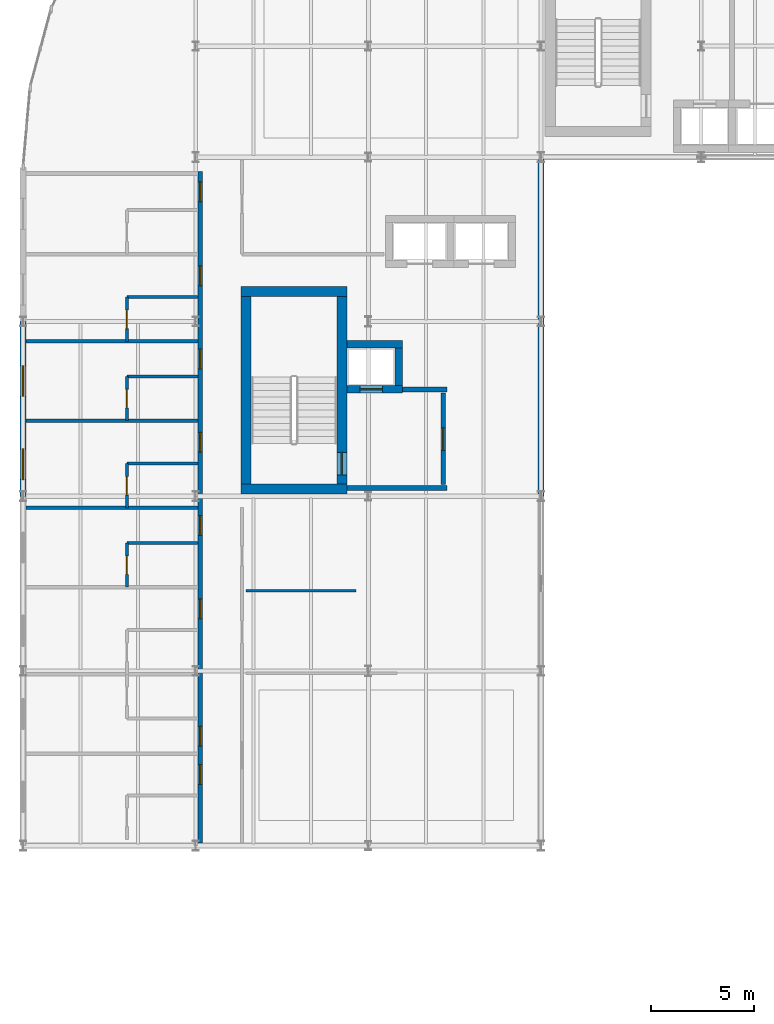
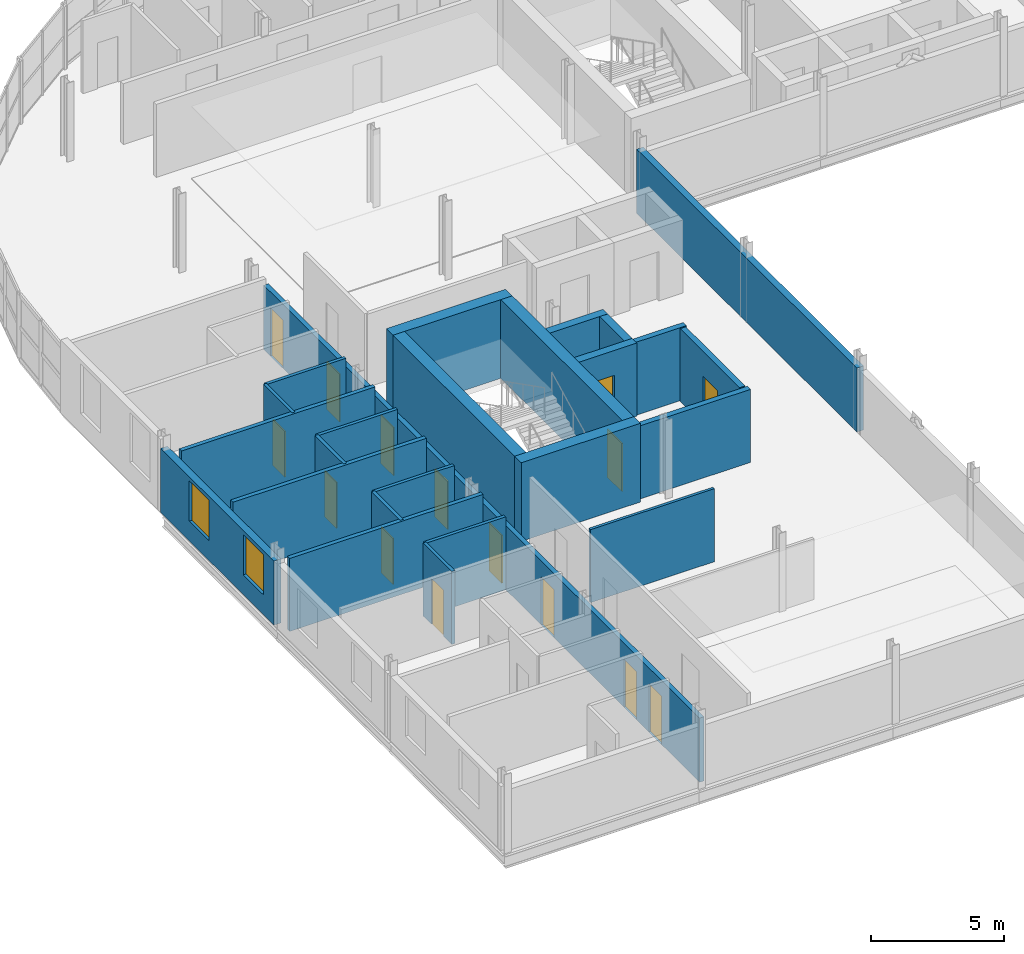
# One storey, part 21 of 36: 25 walls, 15 doors, 2 windows, 17 openings.
"""IFC4 building model written with IfcOpenShell, lengths in metres."""

from ifc_helpers import new_model, si_unit, direction, frame, frame_2d, origin, place, context, subcontext, project, spatial, rectangle, extrude, material, layer, layer_set, type_object, element, fill, save


model = new_model("IFC4")

# Units and contexts
model_context = context("Model", 3, precision=1e-05, world=origin(), true_north=direction((0.0, 1.0)))
body_context = subcontext(model_context, "Body", "Model", "MODEL_VIEW")
ifc_project = project(units=[si_unit("LENGTHUNIT", "METRE"), si_unit("AREAUNIT", "SQUARE_METRE"), si_unit("VOLUMEUNIT", "CUBIC_METRE"), si_unit("PLANEANGLEUNIT", "RADIAN"), si_unit("MASSUNIT", "GRAM", prefix="KILO")], contexts=[model_context])

# Site, building, storey
site_placement = place(None, origin())
site = spatial("IfcSite", under=ifc_project, at=site_placement, CompositionType="ELEMENT")
building_placement = place(site_placement, origin())
building = spatial("IfcBuilding", under=site, at=building_placement, Name="Sefraquen Railside Congress Hotel", CompositionType="ELEMENT")
storey_placement = place(building_placement, frame((0.0, 0.0, 24.60009765625)))
storey = spatial("IfcBuildingStorey", under=building, at=storey_placement, Name="L05", CompositionType="ELEMENT", Elevation=24.60009765625)

# Wall
ifc_material_1 = material(Name="Concrete C50/60", Category="concrete")
ifc_layer_1 = layer(ifc_material_1, 0.35009765625)
ifc_layer_set_1 = layer_set([ifc_layer_1], Name="Concrete C50/60")
wall_type_1 = type_object("IfcWallType", Name="TW-CW-350", PredefinedType="SHEAR", material=ifc_layer_set_1)
wall_1_placement = place(storey_placement, frame((15.760009765625, 86.89501953125, 0.0), z_axis=(0.0, 0.0, 1.0), x_axis=(1.0, 0.0, 0.0)))
element("IfcWall", 1, at=wall_1_placement, inside=storey, type_object=wall_type_1, Name="Lift FL-01 shaft wall N L05", PredefinedType="SHEAR", context=body_context, shape_type="SweptSolid", body=[
    extrude(rectangle(XDim=2.68994140625, YDim=0.35009765625, at=frame_2d((1.344970703125, 0.0))), origin(), (0.0, 0.0, 1.0), 3.33984375),
])

# Wall, opening, door
wall_2_placement = place(storey_placement, frame((15.760009765625, 84.705078125, 0.0), z_axis=(0.0, 0.0, 1.0), x_axis=(1.0, 0.0, 0.0)))
wall_2 = element("IfcWall", 2, at=wall_2_placement, inside=storey, type_object=wall_type_1, Name="Lift FL-01 shaft wall S L05", PredefinedType="SHEAR", context=body_context, shape_type="SweptSolid", body=[
    extrude(rectangle(XDim=2.68994140625, YDim=0.35009765625, at=frame_2d((1.344970703125, 0.0))), origin(), (0.0, 0.0, 1.0), 3.33984375),
])
opening_1_placement = place(wall_2_placement, frame((0.6201171875, 0.0, 0.0)))
opening_1 = element("IfcOpeningElement", 3, at=opening_1_placement, cuts=wall_2, Name="Opening LD-01", PredefinedType="OPENING", context=body_context, shape_type="SweptSolid", body=[
    extrude(rectangle(XDim=1.10009765625, YDim=2.199951171875, at=frame_2d((0.550048828125, 1.10009765625))), frame((0.0, 0.18505859375, 0.0), z_axis=(0.0, -1.0, 0.0), x_axis=(1.0, 0.0, 0.0)), (0.0, 0.0, 1.0), 0.3701171875),
])
ifc_material_2 = material(Name="Brushed bronze stainless steel", Category="steel")
door_type_1 = type_object("IfcDoorType", Name="TD-LD-01", OperationType="NOTDEFINED", PredefinedType="DOOR", material=ifc_material_2)
door_1_placement = place(opening_1_placement, origin())
door_1 = element("IfcDoor", 4, at=door_1_placement, inside=storey, type_object=door_type_1, Name="Lift landing door FL-01 L05", OperationType="SLIDING_TO_LEFT", OverallHeight=2.199951171875, OverallWidth=1.10009765625, PredefinedType="DOOR", context=body_context, shape_type="SweptSolid", body=[
    extrude(rectangle(XDim=1.10009765625, YDim=2.199951171875, at=frame_2d((0.550048828125, 1.10009765625))), frame((0.0, 0.02490234375, 0.0), z_axis=(0.0, -1.0, 0.0), x_axis=(1.0, 0.0, 0.0)), (0.0, 0.0, 1.0), 0.050048828125),
])
fill(opening_1, door_1)

# Walls
wall_3_placement = place(storey_placement, frame((18.27490234375, 84.8798828125, 0.0), z_axis=(0.0, 0.0, 1.0), x_axis=(0.0, 1.0, 0.0)))
element("IfcWall", 5, at=wall_3_placement, inside=storey, type_object=wall_type_1, Name="Lift FL-01 shaft wall E L05", PredefinedType="SHEAR", context=body_context, shape_type="SweptSolid", body=[
    extrude(rectangle(XDim=1.840087890625, YDim=0.35009765625, at=frame_2d((0.919921875, 0.0))), origin(), (0.0, 0.0, 1.0), 3.33984375),
])
ifc_layer_2 = layer(ifc_material_1, 0.5)
ifc_layer_set_2 = layer_set([ifc_layer_2], Name="Concrete C50/60")
wall_type_2 = type_object("IfcWallType", Name="TW-CW-500", PredefinedType="SHEAR", material=ifc_layer_set_2)
for number, where, z_axis, x_axis, name in (
    (6, (10.60009765625, 89.4619140625, 0.0), (0.0, 0.0, 1.0), (1.0, 0.0, 0.0), "Core shear wall ST-H01 N L05"),
    (7, (10.60009765625, 79.85009765625, 0.0), (0.0, 0.0, 1.0), (1.0, 0.0, 0.0), "Core shear wall ST-H01 S L05"),
):
    element("IfcWall", number, at=place(storey_placement, frame(where, z_axis=z_axis, x_axis=x_axis)), inside=storey, type_object=wall_type_2, Name=name, PredefinedType="SHEAR", context=body_context, shape_type="SweptSolid", body=[
        extrude(rectangle(XDim=5.159912109375, YDim=0.5, at=frame_2d((2.580078125, 0.0))), origin(), (0.0, 0.0, 1.0), 3.599853515625),
    ])
wall_4_placement = place(storey_placement, frame((10.85009765625, 80.10009765625, 0.0), z_axis=(0.0, 0.0, 1.0), x_axis=(0.0, 1.0, 0.0)))
element("IfcWall", 8, at=wall_4_placement, inside=storey, type_object=wall_type_2, Name="Core shear wall ST-H01 W L05", PredefinedType="SHEAR", context=body_context, shape_type="SweptSolid", body=[
    extrude(rectangle(XDim=9.11181640625, YDim=0.5, at=frame_2d((4.555908203125, 0.0))), origin(), (0.0, 0.0, 1.0), 3.599853515625),
])

# Wall, opening, door
wall_5_placement = place(storey_placement, frame((15.510009765625, 80.10009765625, 0.0), z_axis=(0.0, 0.0, 1.0), x_axis=(0.0, 1.0, 0.0)))
wall_5 = element("IfcWall", 9, at=wall_5_placement, inside=storey, type_object=wall_type_2, Name="Core shear wall ST-H01 E L05", PredefinedType="SHEAR", context=body_context, shape_type="SweptSolid", body=[
    extrude(rectangle(XDim=9.11181640625, YDim=0.5, at=frame_2d((4.555908203125, 0.0))), origin(), (0.0, 0.0, 1.0), 3.599853515625),
])
opening_2_placement = place(wall_5_placement, frame((0.43994140625, 0.0, 0.0)))
opening_2 = element("IfcOpeningElement", 10, at=opening_2_placement, cuts=wall_5, Name="Opening FD-04", PredefinedType="OPENING", context=body_context, shape_type="SweptSolid", body=[
    extrude(rectangle(XDim=1.10009765625, YDim=2.199951171875, at=frame_2d((0.550048828125, 1.10009765625))), frame((0.0, 0.260009765625, 0.0), z_axis=(0.0, -1.0, 0.0), x_axis=(1.0, 0.0, 0.0)), (0.0, 0.0, 1.0), 0.52001953125),
])
ifc_material_3 = material(Name="Fire-rated steel", Category="steel")
door_type_2 = type_object("IfcDoorType", Name="TD-FD-04", OperationType="NOTDEFINED", PredefinedType="DOOR", material=ifc_material_3)
door_2_placement = place(opening_2_placement, origin())
door_2 = element("IfcDoor", 11, at=door_2_placement, inside=storey, type_object=door_type_2, Name="Pressurized stair ST-H01 fire door L05", OperationType="SINGLE_SWING_LEFT", OverallHeight=2.199951171875, OverallWidth=1.10009765625, PredefinedType="DOOR", context=body_context, shape_type="SweptSolid", body=[
    extrude(rectangle(XDim=1.10009765625, YDim=2.199951171875, at=frame_2d((0.550048828125, 1.10009765625))), frame((0.0, 0.02490234375, 0.0), z_axis=(0.0, -1.0, 0.0), x_axis=(1.0, 0.0, 0.0)), (0.0, 0.0, 1.0), 0.050048828125),
])
fill(opening_2, door_2)

# Wall
ifc_material_4 = material(Name="Ochre Rabat calcarenite limestone and Concrete C40/50 backing", Category="masonry")
ifc_layer_3 = layer(ifc_material_4, 0.280029296875)
ifc_layer_set_3 = layer_set([ifc_layer_3], Name="Ochre Rabat calcarenite limestone and Concrete C40/50 backing")
wall_type_3 = type_object("IfcWallType", Name="TW-EW-280", PredefinedType="STANDARD", material=ifc_layer_set_3)
wall_6_placement = place(storey_placement, frame((25.199951171875, 79.5, 0.0), z_axis=(0.0, 0.0, 1.0), x_axis=(0.0, 1.0, 0.0)))
element("IfcWall", 12, at=wall_6_placement, inside=storey, type_object=wall_type_3, Name="Hotel L05 courtyard return wall", PredefinedType="STANDARD", context=body_context, shape_type="SweptSolid", body=[
    extrude(rectangle(XDim=16.5, YDim=0.280029296875, at=frame_2d((8.25, 0.0))), origin(), (0.0, 0.0, 1.0), 2.929931640625),
])

# Wall, openings, windows
ifc_layer_4 = layer(ifc_material_4, 0.300048828125)
ifc_layer_set_4 = layer_set([ifc_layer_4], Name="Ochre Rabat calcarenite limestone and Concrete C40/50 backing")
wall_type_4 = type_object("IfcWallType", Name="TW-EW-300", PredefinedType="STANDARD", material=ifc_layer_set_4)
wall_7_placement = place(storey_placement, frame((0.0, 79.5, 0.0), z_axis=(0.0, 0.0, 1.0), x_axis=(0.0, 1.0, 0.0)))
wall_7 = element("IfcWall", 13, at=wall_7_placement, inside=storey, type_object=wall_type_4, Name="Hotel L05 West Forecourt facade wall", PredefinedType="STANDARD", context=body_context, shape_type="SweptSolid", body=[
    extrude(rectangle(XDim=8.5, YDim=0.300048828125, at=frame_2d((4.25, 0.0))), origin(), (0.0, 0.0, 1.0), 2.929931640625),
])
opening_3_placement = place(wall_7_placement, frame((0.805908203125, 0.0, 0.89990234375)))
opening_3 = element("IfcOpeningElement", 14, at=opening_3_placement, cuts=wall_7, Name="Opening WN-15", PredefinedType="OPENING", context=body_context, shape_type="SweptSolid", body=[
    extrude(rectangle(XDim=1.5, YDim=1.85009765625, at=frame_2d((0.75, 0.925048828125))), frame((0.0, 0.159912109375, 0.0), z_axis=(0.0, -1.0, 0.0), x_axis=(1.0, 0.0, 0.0)), (0.0, 0.0, 1.0), 0.320068359375),
])
opening_4_placement = place(wall_7_placement, frame((4.85693359375, 0.0, 0.89990234375)))
opening_4 = element("IfcOpeningElement", 15, at=opening_4_placement, cuts=wall_7, Name="Opening WN-16", PredefinedType="OPENING", context=body_context, shape_type="SweptSolid", body=[
    extrude(rectangle(XDim=1.5, YDim=1.85009765625, at=frame_2d((0.75, 0.925048828125))), frame((0.0, 0.159912109375, 0.0), z_axis=(0.0, -1.0, 0.0), x_axis=(1.0, 0.0, 0.0)), (0.0, 0.0, 1.0), 0.320068359375),
])
ifc_material_5 = material(Name="Solar-control low-E double glazing in bronze-anodised frame", Category="glass")
window_type_1 = type_object("IfcWindowType", Name="TWN-W-15", PartitioningType="DOUBLE_PANEL_VERTICAL", PredefinedType="WINDOW", material=ifc_material_5)
window_1_placement = place(opening_3_placement, origin())
window_1 = element("IfcWindow", 16, at=window_1_placement, inside=storey, type_object=window_type_1, Name="Guest room west window SP-L05-RM-044", OverallHeight=1.85009765625, OverallWidth=1.5, PartitioningType="DOUBLE_PANEL_VERTICAL", PredefinedType="WINDOW", context=body_context, shape_type="SweptSolid", body=[
    extrude(rectangle(XDim=1.5, YDim=1.85009765625, at=frame_2d((0.75, 0.925048828125))), frame((0.0, 0.030029296875, 0.0), z_axis=(0.0, -1.0, 0.0), x_axis=(1.0, 0.0, 0.0)), (0.0, 0.0, 1.0), 0.06005859375),
])
fill(opening_3, window_1)
window_type_2 = type_object("IfcWindowType", Name="TWN-W-16", PartitioningType="DOUBLE_PANEL_VERTICAL", PredefinedType="WINDOW", material=ifc_material_5)
window_2_placement = place(opening_4_placement, origin())
window_2 = element("IfcWindow", 17, at=window_2_placement, inside=storey, type_object=window_type_2, Name="Guest room west window SP-L05-RM-045", OverallHeight=1.85009765625, OverallWidth=1.5, PartitioningType="DOUBLE_PANEL_VERTICAL", PredefinedType="WINDOW", context=body_context, shape_type="SweptSolid", body=[
    extrude(rectangle(XDim=1.5, YDim=1.85009765625, at=frame_2d((0.75, 0.925048828125))), frame((0.0, 0.030029296875, 0.0), z_axis=(0.0, -1.0, 0.0), x_axis=(1.0, 0.0, 0.0)), (0.0, 0.0, 1.0), 0.06005859375),
])
fill(opening_4, window_2)

# Walls
ifc_material_6 = material(Name="Concrete C40/50", Category="concrete")
ifc_layer_5 = layer(ifc_material_6, 0.239990234375)
ifc_layer_set_5 = layer_set([ifc_layer_5], Name="Concrete C40/50")
wall_type_5 = type_object("IfcWallType", Name="TW-FW-240", PredefinedType="STANDARD", material=ifc_layer_set_5)
wall_8_placement = place(storey_placement, frame((15.760009765625, 79.89990234375, 0.0), z_axis=(0.0, 0.0, 1.0), x_axis=(1.0, 0.0, 0.0)))
element("IfcWall", 18, at=wall_8_placement, inside=storey, type_object=wall_type_5, Name="Firefighting Lift Lobby FFL-01 S fire wall L05", PredefinedType="STANDARD", context=body_context, shape_type="SweptSolid", body=[
    extrude(rectangle(XDim=4.860107421875, YDim=0.239990234375, at=frame_2d((2.43017578125, 0.0))), origin(), (0.0, 0.0, 1.0), 3.33984375),
])
wall_9_placement = place(storey_placement, frame((18.449951171875, 84.705078125, 0.0), z_axis=(0.0, 0.0, 1.0), x_axis=(1.0, 0.0, 0.0)))
element("IfcWall", 19, at=wall_9_placement, inside=storey, type_object=wall_type_5, Name="Firefighting Lift Lobby FFL-01 N fire wall L05", PredefinedType="STANDARD", context=body_context, shape_type="SweptSolid", body=[
    extrude(rectangle(XDim=2.170166015625, YDim=0.239990234375, at=frame_2d((1.0849609375, 0.0))), origin(), (0.0, 0.0, 1.0), 3.33984375),
])

# Wall, opening, door
wall_10_placement = place(storey_placement, frame((20.43994140625, 80.080078125, 0.0), z_axis=(0.0, 0.0, 1.0), x_axis=(0.0, 1.0, 0.0)))
wall_10 = element("IfcWall", 20, at=wall_10_placement, inside=storey, type_object=wall_type_5, Name="Firefighting Lift Lobby FFL-01 EI 120 separation wall L05", PredefinedType="STANDARD", context=body_context, shape_type="SweptSolid", body=[
    extrude(rectangle(XDim=4.449951171875, YDim=0.239990234375, at=frame_2d((2.22509765625, 0.0))), origin(), (0.0, 0.0, 1.0), 3.33984375),
])
opening_5_placement = place(wall_10_placement, frame((1.64990234375, 0.0, 0.0)))
opening_5 = element("IfcOpeningElement", 21, at=opening_5_placement, cuts=wall_10, Name="Opening FD-04", PredefinedType="OPENING", context=body_context, shape_type="SweptSolid", body=[
    extrude(rectangle(XDim=1.10009765625, YDim=2.199951171875, at=frame_2d((0.550048828125, 1.10009765625))), frame((0.0, 0.1298828125, 0.0), z_axis=(0.0, -1.0, 0.0), x_axis=(1.0, 0.0, 0.0)), (0.0, 0.0, 1.0), 0.260009765625),
])
door_3_placement = place(opening_5_placement, origin())
door_3 = element("IfcDoor", 22, at=door_3_placement, inside=storey, type_object=door_type_2, Name="Firefighting Lift Lobby FFL-01 self-closing fire door L05", OperationType="SINGLE_SWING_LEFT", OverallHeight=2.199951171875, OverallWidth=1.10009765625, PredefinedType="DOOR", context=body_context, shape_type="SweptSolid", body=[
    extrude(rectangle(XDim=1.10009765625, YDim=2.199951171875, at=frame_2d((0.550048828125, 1.10009765625))), frame((0.0, 0.02490234375, 0.0), z_axis=(0.0, -1.0, 0.0), x_axis=(1.0, 0.0, 0.0)), (0.0, 0.0, 1.0), 0.050048828125),
])
fill(opening_5, door_3)

# Walls
ifc_material_7 = material(Name="Gypsum board on metal stud", Category="gypsum")
ifc_layer_6 = layer(ifc_material_7, 0.1201171875)
ifc_layer_set_6 = layer_set([ifc_layer_6], Name="Gypsum board on metal stud")
wall_type_6 = type_object("IfcWallType", Name="TW-PW-120", PredefinedType="PARTITIONING", material=ifc_layer_set_6)
wall_11_placement = place(storey_placement, frame((10.85009765625, 74.89990234375, 0.0), z_axis=(0.0, 0.0, 1.0), x_axis=(1.0, 0.0, 0.0)))
element("IfcWall", 23, at=wall_11_placement, inside=storey, type_object=wall_type_6, Name="Pantry-WC divider L05", PredefinedType="PARTITIONING", context=body_context, shape_type="SweptSolid", body=[
    extrude(rectangle(XDim=5.349853515625, YDim=0.1201171875, at=frame_2d((2.6748046875, 0.0))), origin(), (0.0, 0.0, 1.0), 3.33984375),
])
ifc_material_8 = material(Name="Moisture-resistant gypsum board", Category="gypsum")
ifc_layer_7 = layer(ifc_material_8, 0.139892578125)
ifc_layer_set_7 = layer_set([ifc_layer_7], Name="Moisture-resistant gypsum board")
wall_type_7 = type_object("IfcWallType", Name="TW-PW-140", PredefinedType="PARTITIONING", material=ifc_layer_set_7)
wall_12_placement = place(storey_placement, frame((5.050048828125, 77.22607421875, 0.0), z_axis=(0.0, 0.0, 1.0), x_axis=(1.0, 0.0, 0.0)))
element("IfcWall", 24, at=wall_12_placement, inside=storey, type_object=wall_type_7, Name="West en-suite bathroom north wall RM-043", PredefinedType="PARTITIONING", context=body_context, shape_type="SweptSolid", body=[
    extrude(rectangle(XDim=3.469970703125, YDim=0.139892578125, at=frame_2d((1.73486328125, 0.0))), origin(), (0.0, 0.0, 1.0), 3.33984375),
])

# Wall, opening, door
wall_13_placement = place(storey_placement, frame((5.050048828125, 75.075927734375, 0.0), z_axis=(0.0, 0.0, 1.0), x_axis=(0.0, 1.0, 0.0)))
wall_13 = element("IfcWall", 25, at=wall_13_placement, inside=storey, type_object=wall_type_7, Name="West en-suite bathroom west wall RM-043", PredefinedType="PARTITIONING", context=body_context, shape_type="SweptSolid", body=[
    extrude(rectangle(XDim=2.150146484375, YDim=0.139892578125, at=frame_2d((1.0751953125, 0.0))), origin(), (0.0, 0.0, 1.0), 3.33984375),
])
opening_6_placement = place(wall_13_placement, frame((0.625, 0.0, 0.0)))
opening_6 = element("IfcOpeningElement", 26, at=opening_6_placement, cuts=wall_13, Name="Opening ID-02", PredefinedType="OPENING", context=body_context, shape_type="SweptSolid", body=[
    extrude(rectangle(XDim=0.89990234375, YDim=2.10009765625, at=frame_2d((0.449951171875, 1.050048828125))), frame((0.0, 0.079833984375, 0.0), z_axis=(0.0, -1.0, 0.0), x_axis=(1.0, 0.0, 0.0)), (0.0, 0.0, 1.0), 0.159912109375),
])
ifc_material_9 = material(Name="Lacquered cedar joinery", Category="wood")
door_type_3 = type_object("IfcDoorType", Name="TD-ID-02", OperationType="NOTDEFINED", PredefinedType="DOOR", material=ifc_material_9)
door_4_placement = place(opening_6_placement, frame((0.89990234375, 0.0, 0.0), z_axis=(0.0, 0.0, 1.0), x_axis=(-1.0, 0.0, 0.0)))
door_4 = element("IfcDoor", 27, at=door_4_placement, inside=storey, type_object=door_type_3, Name="En-suite bathroom door RM-043", OperationType="SINGLE_SWING_LEFT", OverallHeight=2.10009765625, OverallWidth=0.89990234375, PredefinedType="DOOR", context=body_context, shape_type="SweptSolid", body=[
    extrude(rectangle(XDim=0.89990234375, YDim=2.10009765625, at=frame_2d((0.449951171875, 1.050048828125))), frame((0.0, 0.02490234375, 0.0), z_axis=(0.0, -1.0, 0.0), x_axis=(1.0, 0.0, 0.0)), (0.0, 0.0, 1.0), 0.050048828125),
])
fill(opening_6, door_4)

# Wall
wall_14_placement = place(storey_placement, frame((5.050048828125, 81.0869140625, 0.0), z_axis=(0.0, 0.0, 1.0), x_axis=(1.0, 0.0, 0.0)))
element("IfcWall", 28, at=wall_14_placement, inside=storey, type_object=wall_type_7, Name="West en-suite bathroom north wall RM-044", PredefinedType="PARTITIONING", context=body_context, shape_type="SweptSolid", body=[
    extrude(rectangle(XDim=3.469970703125, YDim=0.139892578125, at=frame_2d((1.73486328125, 0.0))), origin(), (0.0, 0.0, 1.0), 3.33984375),
])

# Wall, opening, door
wall_15_placement = place(storey_placement, frame((5.050048828125, 78.93701171875, 0.0), z_axis=(0.0, 0.0, 1.0), x_axis=(0.0, 1.0, 0.0)))
wall_15 = element("IfcWall", 29, at=wall_15_placement, inside=storey, type_object=wall_type_7, Name="West en-suite bathroom west wall RM-044", PredefinedType="PARTITIONING", context=body_context, shape_type="SweptSolid", body=[
    extrude(rectangle(XDim=2.14990234375, YDim=0.139892578125, at=frame_2d((1.074951171875, 0.0))), origin(), (0.0, 0.0, 1.0), 3.33984375),
])
opening_7_placement = place(wall_15_placement, frame((0.625, 0.0, 0.0)))
opening_7 = element("IfcOpeningElement", 30, at=opening_7_placement, cuts=wall_15, Name="Opening ID-02", PredefinedType="OPENING", context=body_context, shape_type="SweptSolid", body=[
    extrude(rectangle(XDim=0.89990234375, YDim=2.10009765625, at=frame_2d((0.449951171875, 1.050048828125))), frame((0.0, 0.079833984375, 0.0), z_axis=(0.0, -1.0, 0.0), x_axis=(1.0, 0.0, 0.0)), (0.0, 0.0, 1.0), 0.159912109375),
])
door_5_placement = place(opening_7_placement, frame((0.89990234375, 0.0, 0.0), z_axis=(0.0, 0.0, 1.0), x_axis=(-1.0, 0.0, 0.0)))
door_5 = element("IfcDoor", 31, at=door_5_placement, inside=storey, type_object=door_type_3, Name="En-suite bathroom door RM-044", OperationType="SINGLE_SWING_LEFT", OverallHeight=2.10009765625, OverallWidth=0.89990234375, PredefinedType="DOOR", context=body_context, shape_type="SweptSolid", body=[
    extrude(rectangle(XDim=0.89990234375, YDim=2.10009765625, at=frame_2d((0.449951171875, 1.050048828125))), frame((0.0, 0.02490234375, 0.0), z_axis=(0.0, -1.0, 0.0), x_axis=(1.0, 0.0, 0.0)), (0.0, 0.0, 1.0), 0.050048828125),
])
fill(opening_7, door_5)

# Wall
wall_16_placement = place(storey_placement, frame((5.050048828125, 85.325927734375, 0.0), z_axis=(0.0, 0.0, 1.0), x_axis=(1.0, 0.0, 0.0)))
element("IfcWall", 32, at=wall_16_placement, inside=storey, type_object=wall_type_7, Name="West en-suite bathroom north wall RM-045", PredefinedType="PARTITIONING", context=body_context, shape_type="SweptSolid", body=[
    extrude(rectangle(XDim=3.469970703125, YDim=0.139892578125, at=frame_2d((1.73486328125, 0.0))), origin(), (0.0, 0.0, 1.0), 3.33984375),
])

# Wall, opening, door
wall_17_placement = place(storey_placement, frame((5.050048828125, 83.176025390625, 0.0), z_axis=(0.0, 0.0, 1.0), x_axis=(0.0, 1.0, 0.0)))
wall_17 = element("IfcWall", 33, at=wall_17_placement, inside=storey, type_object=wall_type_7, Name="West en-suite bathroom west wall RM-045", PredefinedType="PARTITIONING", context=body_context, shape_type="SweptSolid", body=[
    extrude(rectangle(XDim=2.14990234375, YDim=0.139892578125, at=frame_2d((1.074951171875, 0.0))), origin(), (0.0, 0.0, 1.0), 3.33984375),
])
opening_8_placement = place(wall_17_placement, frame((0.625, 0.0, 0.0)))
opening_8 = element("IfcOpeningElement", 34, at=opening_8_placement, cuts=wall_17, Name="Opening ID-02", PredefinedType="OPENING", context=body_context, shape_type="SweptSolid", body=[
    extrude(rectangle(XDim=0.89990234375, YDim=2.10009765625, at=frame_2d((0.449951171875, 1.050048828125))), frame((0.0, 0.079833984375, 0.0), z_axis=(0.0, -1.0, 0.0), x_axis=(1.0, 0.0, 0.0)), (0.0, 0.0, 1.0), 0.159912109375),
])
door_6_placement = place(opening_8_placement, frame((0.89990234375, 0.0, 0.0), z_axis=(0.0, 0.0, 1.0), x_axis=(-1.0, 0.0, 0.0)))
door_6 = element("IfcDoor", 35, at=door_6_placement, inside=storey, type_object=door_type_3, Name="En-suite bathroom door RM-045", OperationType="SINGLE_SWING_LEFT", OverallHeight=2.10009765625, OverallWidth=0.89990234375, PredefinedType="DOOR", context=body_context, shape_type="SweptSolid", body=[
    extrude(rectangle(XDim=0.89990234375, YDim=2.10009765625, at=frame_2d((0.449951171875, 1.050048828125))), frame((0.0, 0.02490234375, 0.0), z_axis=(0.0, -1.0, 0.0), x_axis=(1.0, 0.0, 0.0)), (0.0, 0.0, 1.0), 0.050048828125),
])
fill(opening_8, door_6)

# Wall
wall_18_placement = place(storey_placement, frame((5.050048828125, 89.18701171875, 0.0), z_axis=(0.0, 0.0, 1.0), x_axis=(1.0, 0.0, 0.0)))
element("IfcWall", 36, at=wall_18_placement, inside=storey, type_object=wall_type_7, Name="West en-suite bathroom north wall RM-046", PredefinedType="PARTITIONING", context=body_context, shape_type="SweptSolid", body=[
    extrude(rectangle(XDim=3.469970703125, YDim=0.139892578125, at=frame_2d((1.73486328125, 0.0))), origin(), (0.0, 0.0, 1.0), 3.33984375),
])

# Wall, opening, door
wall_19_placement = place(storey_placement, frame((5.050048828125, 87.037109375, 0.0), z_axis=(0.0, 0.0, 1.0), x_axis=(0.0, 1.0, 0.0)))
wall_19 = element("IfcWall", 37, at=wall_19_placement, inside=storey, type_object=wall_type_7, Name="West en-suite bathroom west wall RM-046", PredefinedType="PARTITIONING", context=body_context, shape_type="SweptSolid", body=[
    extrude(rectangle(XDim=2.14990234375, YDim=0.139892578125, at=frame_2d((1.074951171875, 0.0))), origin(), (0.0, 0.0, 1.0), 3.33984375),
])
opening_9_placement = place(wall_19_placement, frame((0.625, 0.0, 0.0)))
opening_9 = element("IfcOpeningElement", 38, at=opening_9_placement, cuts=wall_19, Name="Opening ID-02", PredefinedType="OPENING", context=body_context, shape_type="SweptSolid", body=[
    extrude(rectangle(XDim=0.89990234375, YDim=2.10009765625, at=frame_2d((0.449951171875, 1.050048828125))), frame((0.0, 0.079833984375, 0.0), z_axis=(0.0, -1.0, 0.0), x_axis=(1.0, 0.0, 0.0)), (0.0, 0.0, 1.0), 0.159912109375),
])
door_7_placement = place(opening_9_placement, frame((0.89990234375, 0.0, 0.0), z_axis=(0.0, 0.0, 1.0), x_axis=(-1.0, 0.0, 0.0)))
door_7 = element("IfcDoor", 39, at=door_7_placement, inside=storey, type_object=door_type_3, Name="En-suite bathroom door RM-046", OperationType="SINGLE_SWING_LEFT", OverallHeight=2.10009765625, OverallWidth=0.89990234375, PredefinedType="DOOR", context=body_context, shape_type="SweptSolid", body=[
    extrude(rectangle(XDim=0.89990234375, YDim=2.10009765625, at=frame_2d((0.449951171875, 1.050048828125))), frame((0.0, 0.02490234375, 0.0), z_axis=(0.0, -1.0, 0.0), x_axis=(1.0, 0.0, 0.0)), (0.0, 0.0, 1.0), 0.050048828125),
])
fill(opening_9, door_7)

# Walls
ifc_material_10 = material(Name="Acoustic gypsum board on metal stud", Category="gypsum")
ifc_layer_8 = layer(ifc_material_10, 0.179931640625)
ifc_layer_set_8 = layer_set([ifc_layer_8], Name="Acoustic gypsum board on metal stud")
wall_type_8 = type_object("IfcWallType", Name="TW-PW-180", PredefinedType="PARTITIONING", material=ifc_layer_set_8)
for number, where, z_axis, x_axis, name in (
    (40, (0.14990234375, 78.93701171875, 0.0), (0.0, 0.0, 1.0), (1.0, 0.0, 0.0), "West return guest room demising wall RM-043"),
    (41, (0.14990234375, 83.176025390625, 0.0), (0.0, 0.0, 1.0), (1.0, 0.0, 0.0), "West return guest room demising wall RM-044"),
    (42, (0.14990234375, 87.037109375, 0.0), (0.0, 0.0, 1.0), (1.0, 0.0, 0.0), "West return guest room demising wall RM-045"),
):
    element("IfcWall", number, at=place(storey_placement, frame(where, z_axis=z_axis, x_axis=x_axis)), inside=storey, type_object=wall_type_8, Name=name, PredefinedType="PARTITIONING", context=body_context, shape_type="SweptSolid", body=[
        extrude(rectangle(XDim=8.3701171875, YDim=0.179931640625, at=frame_2d((4.18505859375, 0.0))), origin(), (0.0, 0.0, 1.0), 3.33984375),
    ])

# Wall, openings, doors
ifc_layer_9 = layer(ifc_material_10, 0.199951171875)
ifc_layer_set_9 = layer_set([ifc_layer_9], Name="Acoustic gypsum board on metal stud")
wall_type_9 = type_object("IfcWallType", Name="TW-PW-200", PredefinedType="PARTITIONING", material=ifc_layer_set_9)
wall_20_placement = place(storey_placement, frame((8.6201171875, 62.639892578125, 0.0), z_axis=(0.0, 0.0, 1.0), x_axis=(0.0, 1.0, 0.0)))
wall_20 = element("IfcWall", 43, at=wall_20_placement, inside=storey, type_object=wall_type_9, Name="Hotel L05 west-return corridor W partition", PredefinedType="PARTITIONING", context=body_context, shape_type="SweptSolid", body=[
    extrude(rectangle(XDim=32.66015625, YDim=0.199951171875, at=frame_2d((16.330078125, 0.0))), origin(), (0.0, 0.0, 1.0), 2.929931640625),
])
opening_10_placement = place(wall_20_placement, frame((2.843017578125, 0.0, 0.0)))
opening_10 = element("IfcOpeningElement", 44, at=opening_10_placement, cuts=wall_20, Name="Opening GD-02", PredefinedType="OPENING", context=body_context, shape_type="SweptSolid", body=[
    extrude(rectangle(XDim=0.9599609375, YDim=2.199951171875, at=frame_2d((0.47998046875, 1.10009765625))), frame((0.0, 0.10986328125, 0.0), z_axis=(0.0, -1.0, 0.0), x_axis=(1.0, 0.0, 0.0)), (0.0, 0.0, 1.0), 0.219970703125),
])
opening_11_placement = place(wall_20_placement, frame((4.7109375, 0.0, 0.0)))
opening_11 = element("IfcOpeningElement", 45, at=opening_11_placement, cuts=wall_20, Name="Opening GD-02", PredefinedType="OPENING", context=body_context, shape_type="SweptSolid", body=[
    extrude(rectangle(XDim=0.9599609375, YDim=2.199951171875, at=frame_2d((0.47998046875, 1.10009765625))), frame((0.0, 0.10986328125, 0.0), z_axis=(0.0, -1.0, 0.0), x_axis=(1.0, 0.0, 0.0)), (0.0, 0.0, 1.0), 0.219970703125),
])
opening_12_placement = place(wall_20_placement, frame((10.910888671875, 0.0, 0.0)))
opening_12 = element("IfcOpeningElement", 46, at=opening_12_placement, cuts=wall_20, Name="Opening GD-02", PredefinedType="OPENING", context=body_context, shape_type="SweptSolid", body=[
    extrude(rectangle(XDim=0.9599609375, YDim=2.199951171875, at=frame_2d((0.47998046875, 1.10009765625))), frame((0.0, 0.10986328125, 0.0), z_axis=(0.0, -1.0, 0.0), x_axis=(1.0, 0.0, 0.0)), (0.0, 0.0, 1.0), 0.219970703125),
])
opening_13_placement = place(wall_20_placement, frame((14.9609375, 0.0, 0.0)))
opening_13 = element("IfcOpeningElement", 47, at=opening_13_placement, cuts=wall_20, Name="Opening GD-02", PredefinedType="OPENING", context=body_context, shape_type="SweptSolid", body=[
    extrude(rectangle(XDim=0.9599609375, YDim=2.199951171875, at=frame_2d((0.47998046875, 1.10009765625))), frame((0.0, 0.10986328125, 0.0), z_axis=(0.0, -1.0, 0.0), x_axis=(1.0, 0.0, 0.0)), (0.0, 0.0, 1.0), 0.219970703125),
])
opening_14_placement = place(wall_20_placement, frame((19.011962890625, 0.0, 0.0)))
opening_14 = element("IfcOpeningElement", 48, at=opening_14_placement, cuts=wall_20, Name="Opening GD-02", PredefinedType="OPENING", context=body_context, shape_type="SweptSolid", body=[
    extrude(rectangle(XDim=0.9599609375, YDim=2.199951171875, at=frame_2d((0.47998046875, 1.10009765625))), frame((0.0, 0.10986328125, 0.0), z_axis=(0.0, -1.0, 0.0), x_axis=(1.0, 0.0, 0.0)), (0.0, 0.0, 1.0), 0.219970703125),
])
opening_15_placement = place(wall_20_placement, frame((23.06103515625, 0.0, 0.0)))
opening_15 = element("IfcOpeningElement", 49, at=opening_15_placement, cuts=wall_20, Name="Opening GD-02", PredefinedType="OPENING", context=body_context, shape_type="SweptSolid", body=[
    extrude(rectangle(XDim=0.9599609375, YDim=2.199951171875, at=frame_2d((0.47998046875, 1.10009765625))), frame((0.0, 0.10986328125, 0.0), z_axis=(0.0, -1.0, 0.0), x_axis=(1.0, 0.0, 0.0)), (0.0, 0.0, 1.0), 0.219970703125),
])
opening_16_placement = place(wall_20_placement, frame((27.111083984375, 0.0, 0.0)))
opening_16 = element("IfcOpeningElement", 50, at=opening_16_placement, cuts=wall_20, Name="Opening GD-02", PredefinedType="OPENING", context=body_context, shape_type="SweptSolid", body=[
    extrude(rectangle(XDim=0.9599609375, YDim=2.199951171875, at=frame_2d((0.47998046875, 1.10009765625))), frame((0.0, 0.10986328125, 0.0), z_axis=(0.0, -1.0, 0.0), x_axis=(1.0, 0.0, 0.0)), (0.0, 0.0, 1.0), 0.219970703125),
])
opening_17_placement = place(wall_20_placement, frame((31.193115234375, 0.0, 0.0)))
opening_17 = element("IfcOpeningElement", 51, at=opening_17_placement, cuts=wall_20, Name="Opening GD-02", PredefinedType="OPENING", context=body_context, shape_type="SweptSolid", body=[
    extrude(rectangle(XDim=0.9599609375, YDim=2.199951171875, at=frame_2d((0.47998046875, 1.10009765625))), frame((0.0, 0.10986328125, 0.0), z_axis=(0.0, -1.0, 0.0), x_axis=(1.0, 0.0, 0.0)), (0.0, 0.0, 1.0), 0.219970703125),
])
ifc_material_11 = material(Name="Solid Atlas cedar timber fire leaf", Category="wood")
door_type_4 = type_object("IfcDoorType", Name="TD-GD-02", OperationType="NOTDEFINED", PredefinedType="DOOR", material=ifc_material_11)
door_8_placement = place(opening_10_placement, frame((0.9599609375, 0.0, 0.0), z_axis=(0.0, 0.0, 1.0), x_axis=(-1.0, 0.0, 0.0)))
door_8 = element("IfcDoor", 52, at=door_8_placement, inside=storey, type_object=door_type_4, Name="Guest room entrance fire door RM-040", OperationType="SINGLE_SWING_RIGHT", OverallHeight=2.199951171875, OverallWidth=0.9599609375, PredefinedType="DOOR", context=body_context, shape_type="SweptSolid", body=[
    extrude(rectangle(XDim=0.9599609375, YDim=2.199951171875, at=frame_2d((0.47998046875, 1.10009765625))), frame((0.0, 0.02490234375, 0.0), z_axis=(0.0, -1.0, 0.0), x_axis=(1.0, 0.0, 0.0)), (0.0, 0.0, 1.0), 0.050048828125),
])
fill(opening_10, door_8)
door_9_placement = place(opening_11_placement, frame((0.9599609375, 0.0, 0.0), z_axis=(0.0, 0.0, 1.0), x_axis=(-1.0, 0.0, 0.0)))
door_9 = element("IfcDoor", 53, at=door_9_placement, inside=storey, type_object=door_type_4, Name="Guest room entrance fire door RM-041", OperationType="SINGLE_SWING_RIGHT", OverallHeight=2.199951171875, OverallWidth=0.9599609375, PredefinedType="DOOR", context=body_context, shape_type="SweptSolid", body=[
    extrude(rectangle(XDim=0.9599609375, YDim=2.199951171875, at=frame_2d((0.47998046875, 1.10009765625))), frame((0.0, 0.02490234375, 0.0), z_axis=(0.0, -1.0, 0.0), x_axis=(1.0, 0.0, 0.0)), (0.0, 0.0, 1.0), 0.050048828125),
])
fill(opening_11, door_9)
door_10_placement = place(opening_12_placement, frame((0.9599609375, 0.0, 0.0), z_axis=(0.0, 0.0, 1.0), x_axis=(-1.0, 0.0, 0.0)))
door_10 = element("IfcDoor", 54, at=door_10_placement, inside=storey, type_object=door_type_4, Name="Guest room entrance fire door RM-042", OperationType="SINGLE_SWING_RIGHT", OverallHeight=2.199951171875, OverallWidth=0.9599609375, PredefinedType="DOOR", context=body_context, shape_type="SweptSolid", body=[
    extrude(rectangle(XDim=0.9599609375, YDim=2.199951171875, at=frame_2d((0.47998046875, 1.10009765625))), frame((0.0, 0.02490234375, 0.0), z_axis=(0.0, -1.0, 0.0), x_axis=(1.0, 0.0, 0.0)), (0.0, 0.0, 1.0), 0.050048828125),
])
fill(opening_12, door_10)
door_11_placement = place(opening_13_placement, frame((0.9599609375, 0.0, 0.0), z_axis=(0.0, 0.0, 1.0), x_axis=(-1.0, 0.0, 0.0)))
door_11 = element("IfcDoor", 55, at=door_11_placement, inside=storey, type_object=door_type_4, Name="Guest room entrance fire door RM-043", OperationType="SINGLE_SWING_RIGHT", OverallHeight=2.199951171875, OverallWidth=0.9599609375, PredefinedType="DOOR", context=body_context, shape_type="SweptSolid", body=[
    extrude(rectangle(XDim=0.9599609375, YDim=2.199951171875, at=frame_2d((0.47998046875, 1.10009765625))), frame((0.0, 0.02490234375, 0.0), z_axis=(0.0, -1.0, 0.0), x_axis=(1.0, 0.0, 0.0)), (0.0, 0.0, 1.0), 0.050048828125),
])
fill(opening_13, door_11)
door_12_placement = place(opening_14_placement, frame((0.9599609375, 0.0, 0.0), z_axis=(0.0, 0.0, 1.0), x_axis=(-1.0, 0.0, 0.0)))
door_12 = element("IfcDoor", 56, at=door_12_placement, inside=storey, type_object=door_type_4, Name="Guest room entrance fire door RM-044", OperationType="SINGLE_SWING_RIGHT", OverallHeight=2.199951171875, OverallWidth=0.9599609375, PredefinedType="DOOR", context=body_context, shape_type="SweptSolid", body=[
    extrude(rectangle(XDim=0.9599609375, YDim=2.199951171875, at=frame_2d((0.47998046875, 1.10009765625))), frame((0.0, 0.02490234375, 0.0), z_axis=(0.0, -1.0, 0.0), x_axis=(1.0, 0.0, 0.0)), (0.0, 0.0, 1.0), 0.050048828125),
])
fill(opening_14, door_12)
door_13_placement = place(opening_15_placement, frame((0.9599609375, 0.0, 0.0), z_axis=(0.0, 0.0, 1.0), x_axis=(-1.0, 0.0, 0.0)))
door_13 = element("IfcDoor", 57, at=door_13_placement, inside=storey, type_object=door_type_4, Name="Guest room entrance fire door RM-045", OperationType="SINGLE_SWING_RIGHT", OverallHeight=2.199951171875, OverallWidth=0.9599609375, PredefinedType="DOOR", context=body_context, shape_type="SweptSolid", body=[
    extrude(rectangle(XDim=0.9599609375, YDim=2.199951171875, at=frame_2d((0.47998046875, 1.10009765625))), frame((0.0, 0.02490234375, 0.0), z_axis=(0.0, -1.0, 0.0), x_axis=(1.0, 0.0, 0.0)), (0.0, 0.0, 1.0), 0.050048828125),
])
fill(opening_15, door_13)
door_14_placement = place(opening_16_placement, frame((0.9599609375, 0.0, 0.0), z_axis=(0.0, 0.0, 1.0), x_axis=(-1.0, 0.0, 0.0)))
door_14 = element("IfcDoor", 58, at=door_14_placement, inside=storey, type_object=door_type_4, Name="Guest room entrance fire door RM-046", OperationType="SINGLE_SWING_RIGHT", OverallHeight=2.199951171875, OverallWidth=0.9599609375, PredefinedType="DOOR", context=body_context, shape_type="SweptSolid", body=[
    extrude(rectangle(XDim=0.9599609375, YDim=2.199951171875, at=frame_2d((0.47998046875, 1.10009765625))), frame((0.0, 0.02490234375, 0.0), z_axis=(0.0, -1.0, 0.0), x_axis=(1.0, 0.0, 0.0)), (0.0, 0.0, 1.0), 0.050048828125),
])
fill(opening_16, door_14)
door_15_placement = place(opening_17_placement, frame((0.9599609375, 0.0, 0.0), z_axis=(0.0, 0.0, 1.0), x_axis=(-1.0, 0.0, 0.0)))
door_15 = element("IfcDoor", 59, at=door_15_placement, inside=storey, type_object=door_type_4, Name="Guest room entrance fire door RM-047", OperationType="SINGLE_SWING_RIGHT", OverallHeight=2.199951171875, OverallWidth=0.9599609375, PredefinedType="DOOR", context=body_context, shape_type="SweptSolid", body=[
    extrude(rectangle(XDim=0.9599609375, YDim=2.199951171875, at=frame_2d((0.47998046875, 1.10009765625))), frame((0.0, 0.02490234375, 0.0), z_axis=(0.0, -1.0, 0.0), x_axis=(1.0, 0.0, 0.0)), (0.0, 0.0, 1.0), 0.050048828125),
])
fill(opening_17, door_15)

save(model, "model.ifc")
